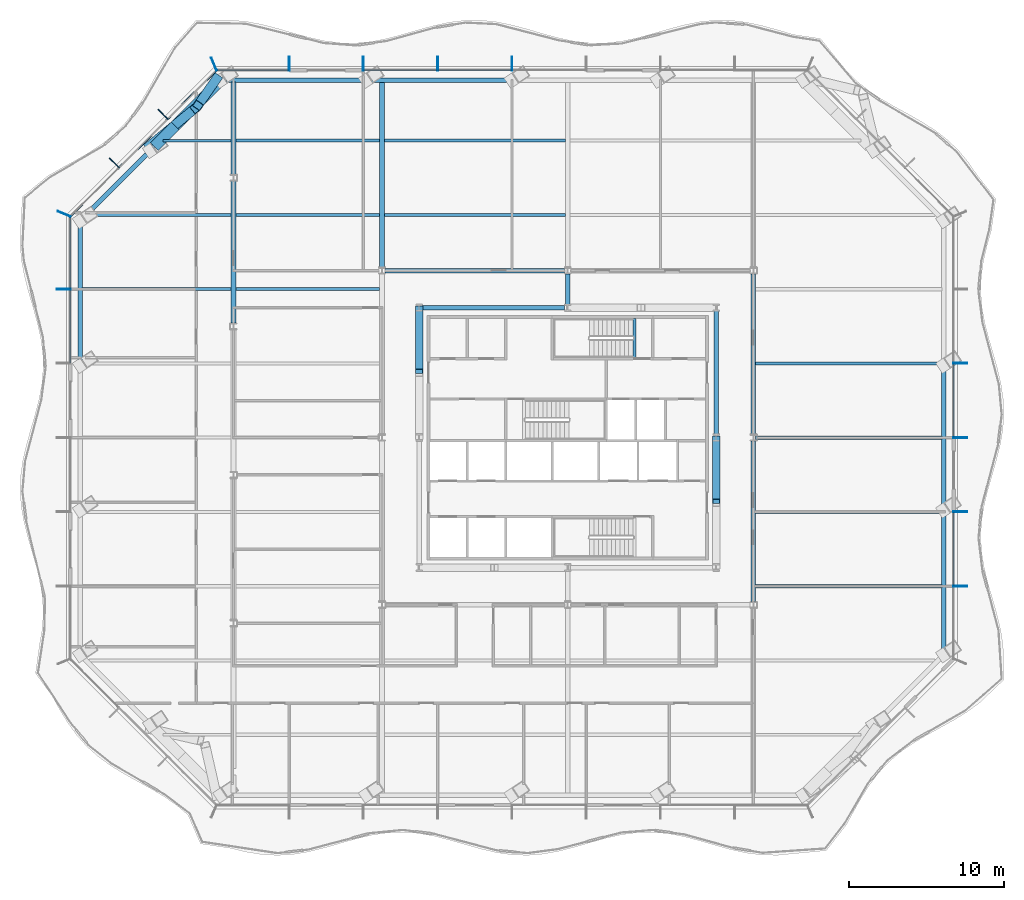
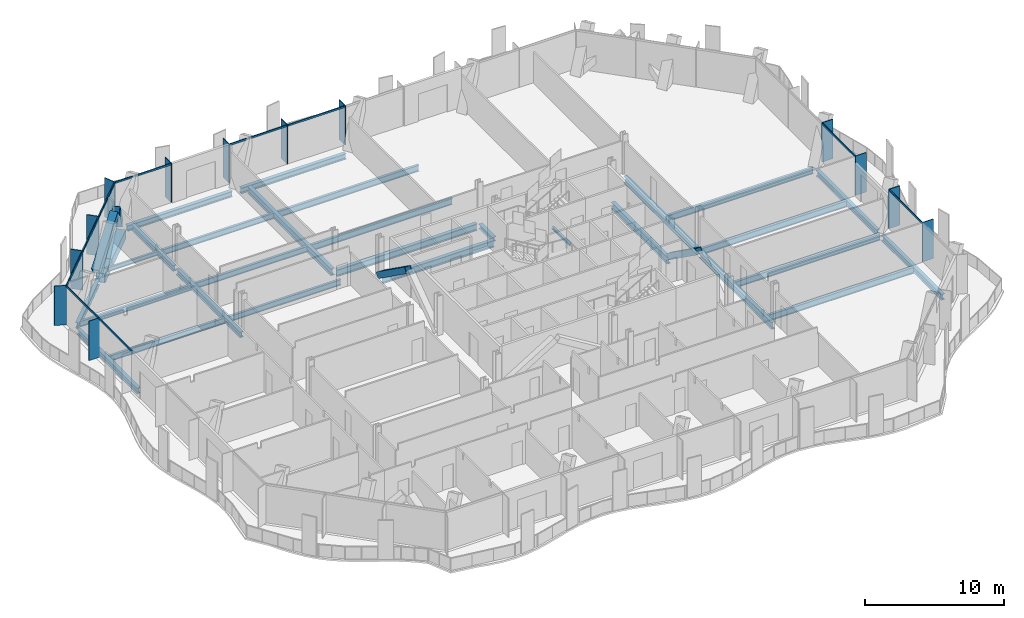
# One storey, part 3 of 20: 30 beams, 27 members, 4 elements without a shape of their own.
"""IFC4 building model written with IfcOpenShell, lengths in metres."""

import ifcopenshell
import ifcopenshell.guid

model = None  # the IFC model being written
_history = None  # IfcOwnerHistory: only IFC2X3 demands one
_inside = {}  # id of a spatial element -> (the spatial element, [elements in it])
_under = {}  # id of a project, library or spatial element -> (it, [spatial elements below it])
_declared = {}  # id of a project -> (the project, [libraries it declares])
_typed = {}  # id of a type object -> (the type object, [elements of that type])
_made_of = {}  # id of a material, layer set ... -> (it, [elements and type objects made of it])


def new_model(schema):
    """Start an empty IFC model of exactly this schema.

    Asked for "IFC4X3", IfcOpenShell would pick the latest addendum, in which some entities
    have other attributes; the version numbers below select the first issue.
    IFC2X3 requires an IfcOwnerHistory on every rooted entity: one is made here for all.
    """
    global model, _history
    if schema == "IFC4X3":
        model = ifcopenshell.file(schema_version=(4, 3, 0, 0))
    else:
        model = ifcopenshell.file(schema=schema)
    _inside.clear()
    _under.clear()
    _declared.clear()
    _typed.clear()
    _made_of.clear()
    _history = None
    if model.schema == "IFC2X3":
        org = make("IfcOrganization", Name="unknown")
        user = make(
            "IfcPersonAndOrganization",
            ThePerson=make("IfcPerson", FamilyName="unknown"),
            TheOrganization=org,
        )
        app = make(
            "IfcApplication",
            ApplicationDeveloper=org,
            Version="unknown",
            ApplicationFullName="unknown",
            ApplicationIdentifier="unknown",
        )
        _history = make(
            "IfcOwnerHistory",
            OwningUser=user,
            OwningApplication=app,
            ChangeAction="ADDED",
            CreationDate=0,
        )
    return model


def make(cls, **values):
    """One entity of the class cls with the attributes given. An attribute that is None is left unset."""
    return model.create_entity(
        cls, **{name: value for name, value in values.items() if value is not None}
    )


def rooted(cls, **values):
    """An entity with a GlobalId (a new one), such as an element, a storey or a relation."""
    return make(cls, GlobalId=ifcopenshell.guid.new(), OwnerHistory=_history, **values)


def si_unit(unit_type, name, prefix=None):
    """IfcSIUnit, for example si_unit("LENGTHUNIT", "METRE", prefix="MILLI")."""
    return make("IfcSIUnit", UnitType=unit_type, Prefix=prefix, Name=name)


def assignment(units):
    """IfcUnitAssignment: the units of a project."""
    return None if units is None else make("IfcUnitAssignment", Units=units)


def point(xyz):
    """IfcCartesianPoint."""
    return None if xyz is None else make("IfcCartesianPoint", Coordinates=xyz)


def direction(xyz):
    """IfcDirection."""
    return None if xyz is None else make("IfcDirection", DirectionRatios=xyz)


def frame(location, z_axis=None, x_axis=None):
    """IfcAxis2Placement3D, a coordinate frame: its origin and axes. An axis left out is left unset."""
    return make(
        "IfcAxis2Placement3D",
        Location=point(location),
        Axis=direction(z_axis),
        RefDirection=direction(x_axis),
    )


def frame_2d(location, x_axis=None):
    """IfcAxis2Placement2D, a coordinate frame in the plane: its origin and x axis."""
    return make(
        "IfcAxis2Placement2D", Location=point(location), RefDirection=direction(x_axis)
    )


def origin():
    """The frame at (0, 0, 0) with its axes left unset."""
    return frame((0.0, 0.0, 0.0))


def origin_2d():
    """The frame at (0, 0) in the plane with its x axis left unset."""
    return frame_2d((0.0, 0.0))


def place(relative_to, where):
    """IfcLocalPlacement: puts the frame where relative to a parent placement (None: the world)."""
    return make(
        "IfcLocalPlacement", PlacementRelTo=relative_to, RelativePlacement=where
    )


def context(
    kind, dimensions, precision=None, world=None, true_north=None, identifier=None
):
    """IfcGeometricRepresentationContext, for example the 3D "Model" context."""
    return make(
        "IfcGeometricRepresentationContext",
        ContextIdentifier=identifier,
        ContextType=kind,
        CoordinateSpaceDimension=dimensions,
        Precision=precision,
        WorldCoordinateSystem=world,
        TrueNorth=true_north,
    )


def subcontext(parent, identifier, kind, view, scale=None):
    """IfcGeometricRepresentationSubContext, for example "Body" below "Model"."""
    return make(
        "IfcGeometricRepresentationSubContext",
        ContextIdentifier=identifier,
        ContextType=kind,
        ParentContext=parent,
        TargetScale=scale,
        TargetView=view,
    )


def project(units=None, contexts=None):
    """IfcProject with its units and contexts."""
    return rooted(
        "IfcProject",
        Name="project",
        RepresentationContexts=contexts,
        UnitsInContext=assignment(units),
    )


def spatial(cls, under=None, at=None, **own):
    """A site, building, storey or space (cls), placed at a placement, below another one or the project."""
    s = rooted(cls, ObjectPlacement=at, **own)
    if under is not None:
        _under.setdefault(under.id(), (under, []))[1].append(s)
    return s


def profile(cls, at=None, kind="AREA", **sizes):
    """A parametric profile (cls). Its sizes go by their IFC names, for example OverallWidth=200.0."""
    return make(cls, ProfileType=kind, Position=at, **sizes)


def rectangle(**sizes):
    """IfcRectangleProfileDef."""
    return profile("IfcRectangleProfileDef", **sizes)


def hollow_rectangle(**sizes):
    """IfcRectangleHollowProfileDef."""
    return profile("IfcRectangleHollowProfileDef", **sizes)


def i_section(**sizes):
    """IfcIShapeProfileDef."""
    return profile("IfcIShapeProfileDef", **sizes)


def extrude(swept, where, along, depth):
    """IfcExtrudedAreaSolid: the profile swept, set in the frame where, extruded along a direction by depth."""
    return make(
        "IfcExtrudedAreaSolid",
        SweptArea=swept,
        Position=where,
        ExtrudedDirection=direction(along),
        Depth=depth,
    )


def shape(context_of_items, identifier, shape_type, items):
    """IfcShapeRepresentation: the items that make up one representation, for example the "Body"."""
    return make(
        "IfcShapeRepresentation",
        ContextOfItems=context_of_items,
        RepresentationIdentifier=identifier,
        RepresentationType=shape_type,
        Items=items,
    )


def material(Name=None, Category=None):
    """IfcMaterial."""
    return make("IfcMaterial", Name=Name, Category=Category)


def material_profile(
    of_material, cross_section, Name=None, Category=None, Priority=None
):
    """IfcMaterialProfile: a cross section and its material."""
    return make(
        "IfcMaterialProfile",
        Name=Name,
        Material=of_material,
        Profile=cross_section,
        Priority=Priority,
        Category=Category,
    )


def profile_set(profiles, Name=None, composite=None):
    """IfcMaterialProfileSet."""
    return make(
        "IfcMaterialProfileSet",
        Name=Name,
        MaterialProfiles=profiles,
        CompositeProfile=composite,
    )


def made_of(thing, what):
    """Note that an element or type object is made of a material, layer set ...; save() writes the relation."""
    if what is not None:
        _made_of.setdefault(what.id(), (what, []))[1].append(thing)
    return thing


def type_object(cls, material=None, **own):
    """A type object (cls), such as IfcWallType, which elements share."""
    return made_of(rooted(cls, **own), material)


def element(
    cls,
    number,
    at=None,
    inside=None,
    cuts=None,
    type_object=None,
    material=None,
    context=None,
    identifier="Body",
    shape_type=None,
    held_by="IfcProductDefinitionShape",
    body=None,
    shapes=None,
    **own,
):
    """One element of the class cls, such as IfcWall. Its Tag is "e" and its number.

    at: its placement. inside: the storey or other place that contains it. cuts: it is an
    opening in that element (IfcRelVoidsElement). A single representation is given by context,
    identifier, shape_type and body (its items); several are given by shapes. held_by: the class
    of the entity that holds the representations. save() writes the other relations.
    """
    e = rooted(cls, Tag="e%d" % number, ObjectPlacement=at, **own)
    if body is not None:
        shapes = [shape(context, identifier, shape_type, body)]
    if shapes is not None:
        e.Representation = make(held_by, Representations=shapes)
    if inside is not None:
        _inside.setdefault(inside.id(), (inside, []))[1].append(e)
    if cuts is not None:
        rooted(
            "IfcRelVoidsElement", RelatingBuildingElement=cuts, RelatedOpeningElement=e
        )
    if type_object is not None:
        _typed.setdefault(type_object.id(), (type_object, []))[1].append(e)
    return made_of(e, material)


def aggregate(whole, parts):
    """IfcRelAggregates: a whole, such as a stair, and the parts it consists of."""
    return rooted("IfcRelAggregates", RelatingObject=whole, RelatedObjects=parts)


def save(model, path):
    """Write the relations noted so far, then the file.

    IfcRelAggregates (storeys below a building ...), IfcRelContainedInSpatialStructure (elements
    in a storey), IfcRelDefinesByType, IfcRelAssociatesMaterial and IfcRelDeclares: one each for
    every whole, place, type object, material and project.
    """
    for whole, parts in _under.values():
        aggregate(whole, parts)
    for where, things in _inside.values():
        rooted(
            "IfcRelContainedInSpatialStructure",
            RelatedElements=things,
            RelatingStructure=where,
        )
    for kind, things in _typed.values():
        rooted("IfcRelDefinesByType", RelatedObjects=things, RelatingType=kind)
    for what, things in _made_of.values():
        rooted("IfcRelAssociatesMaterial", RelatedObjects=things, RelatingMaterial=what)
    for by, libraries in _declared.values():
        rooted("IfcRelDeclares", RelatingContext=by, RelatedDefinitions=libraries)
    model.write(path)


model = new_model("IFC4")

# Units and contexts
model_context = context("Model", 3, precision=1e-05, world=origin(), true_north=direction((0.0, 1.0)))
body_context = subcontext(model_context, "Body", "Model", "MODEL_VIEW")
ifc_project = project(units=[si_unit("LENGTHUNIT", "METRE"), si_unit("AREAUNIT", "SQUARE_METRE"), si_unit("VOLUMEUNIT", "CUBIC_METRE"), si_unit("PLANEANGLEUNIT", "RADIAN"), si_unit("MASSUNIT", "GRAM", prefix="KILO")], contexts=[model_context])

# Site, building, storey
site_placement = place(None, origin())
site = spatial("IfcSite", under=ifc_project, at=site_placement, CompositionType="ELEMENT")
building_placement = place(site_placement, origin())
building = spatial("IfcBuilding", under=site, at=building_placement, Name="Cairn Pilgrim Tower", CompositionType="ELEMENT")
storey_placement = place(building_placement, frame((0.0, 0.0, 101.39990234375)))
storey = spatial("IfcBuildingStorey", under=building, at=storey_placement, Name="L24", CompositionType="ELEMENT", Elevation=101.39990234375)

# Members
ifc_material_1 = material(Name="Structural steel S460M", Category="steel")
ifc_material_profile_1 = material_profile(ifc_material_1, hollow_rectangle(XDim=0.5, YDim=0.5, WallThickness=0.030029296875, at=origin_2d()), Name="BOX 500x500x30")
ifc_profile_set_1 = profile_set([ifc_material_profile_1], Name="Structural steel S460M")
member_type_1 = type_object("IfcMemberType", Name="BOX 500x500x30 BRACE", PredefinedType="BRACE", material=ifc_profile_set_1)
member_1_placement = place(storey_placement, frame((16.800048828125, 2.356201171875, 0.10009765625), z_axis=(0.0, -0.814182254599, 0.580609383576), x_axis=(1.0, 0.0, 0.0)))
element("IfcMember", 1, at=member_1_placement, inside=storey, type_object=member_type_1, Name="KB-2B", PredefinedType="BRACE", context=body_context, shape_type="SweptSolid", body=[
    extrude(hollow_rectangle(XDim=0.5, YDim=0.5, WallThickness=0.030029296875, at=origin_2d()), origin(), (0.0, 0.0, 1.0), 4.996337890625),
])
member_2_placement = place(storey_placement, frame((-2.39990234375, 10.75634765625, 0.10009765625), z_axis=(0.0, -0.814198726233, 0.580586284889), x_axis=(1.0, 0.0, 0.0)))
element("IfcMember", 2, at=member_2_placement, inside=storey, type_object=member_type_1, Name="KB-4A", PredefinedType="BRACE", context=body_context, shape_type="SweptSolid", body=[
    extrude(hollow_rectangle(XDim=0.5, YDim=0.5, WallThickness=0.030029296875, at=origin_2d()), origin(), (0.0, 0.0, 1.0), 4.99658203125),
])
ifc_material_profile_2 = material_profile(ifc_material_1, hollow_rectangle(XDim=0.60009765625, YDim=0.60009765625, WallThickness=0.034912109375, at=origin_2d()), Name="BOX 600x600x35")
ifc_profile_set_2 = profile_set([ifc_material_profile_2], Name="Structural steel S460M")
member_type_2 = type_object("IfcMemberType", Name="BOX 600x600x35 BRACE", PredefinedType="BRACE", material=ifc_profile_set_2)
member_3_placement = place(storey_placement, frame((-15.47119140625, 25.630859375, 0.150146484375), z_axis=(-0.361757337028, -0.518148038838, 0.775018863612), x_axis=(0.819934799955, -0.572456918748, 0.0)))
element("IfcMember", 3, at=member_3_placement, inside=storey, type_object=member_type_2, Name="XB-NW1-NW2-1", PredefinedType="BRACE", context=body_context, shape_type="SweptSolid", body=[
    extrude(hollow_rectangle(XDim=0.60009765625, YDim=0.60009765625, WallThickness=0.034912109375, at=origin_2d()), origin(), (0.0, 0.0, 1.0), 3.3798828125),
])
member_4_placement = place(storey_placement, frame((-19.894287109375, 21.20751953125, 0.150146484375), z_axis=(0.638230273906, 0.524585057685, 0.5634471002), x_axis=(-0.634973910559, 0.772533580441, 0.0)))
element("IfcMember", 4, at=member_4_placement, inside=storey, type_object=member_type_2, Name="XB-NW1-NW2-2", PredefinedType="BRACE", context=body_context, shape_type="SweptSolid", body=[
    extrude(hollow_rectangle(XDim=0.60009765625, YDim=0.60009765625, WallThickness=0.034912109375, at=origin_2d()), origin(), (0.0, 0.0, 1.0), 4.64892578125),
])

# Beams
ifc_material_2 = material(Name="Structural steel S355J2", Category="steel")
ifc_material_profile_3 = material_profile(ifc_material_2, hollow_rectangle(XDim=0.699951171875, YDim=0.800048828125, WallThickness=0.0400390625, at=origin_2d()), Name="BOX 700x800x40")
ifc_profile_set_3 = profile_set([ifc_material_profile_3], Name="Structural steel S355J2")
beam_type_1 = type_object("IfcBeamType", Name="BOX 700x800x40 RING GIRDER", PredefinedType="SPANDREL", material=ifc_profile_set_3)
beam_1_placement = place(storey_placement, frame((-15.481689453125, 25.245361328125, -0.5498046875), z_axis=(-0.707106781187, -0.707106781187, 0.0), x_axis=(0.707106781187, -0.707106781187, 0.0)))
element("IfcBeam", 5, at=beam_1_placement, inside=storey, type_object=beam_type_1, Name="RG1-NW1-NW2-1", PredefinedType="SPANDREL", context=body_context, shape_type="SweptSolid", body=[
    extrude(hollow_rectangle(XDim=0.699951171875, YDim=0.800048828125, WallThickness=0.0400390625, at=origin_2d()), origin(), (0.0, 0.0, 1.0), 3.81005859375),
])
beam_2_placement = place(storey_placement, frame((-18.17578125, 22.55126953125, -0.5498046875), z_axis=(-0.707171525661, -0.707042030783, 0.0), x_axis=(0.707042030783, -0.707171525661, 0.0)))
element("IfcBeam", 6, at=beam_2_placement, inside=storey, type_object=beam_type_1, Name="RG1-NW1-NW2-2", PredefinedType="SPANDREL", context=body_context, shape_type="SweptSolid", body=[
    extrude(hollow_rectangle(XDim=0.699951171875, YDim=0.800048828125, WallThickness=0.0400390625, at=origin_2d()), origin(), (0.0, 0.0, 1.0), 1.88525390625),
])

# Curtain wall, members
ifc_material_3 = material(Name="Aluminium alloy 6063-T6 bronze anodised with Bronze tinted laminated low-E glass 8+16+8.8", Category="aluminium")
curtain_wall_type_1 = type_object("IfcCurtainWallType", Name="TOWER STICK CURTAIN WALL EW", PredefinedType="NOTDEFINED", material=ifc_material_3)
curtain_wall_1_placement = place(storey_placement, origin())
curtain_wall_1 = element("IfcCurtainWall", 7, at=curtain_wall_1_placement, inside=storey, type_object=curtain_wall_type_1, Name="Tower Stick Curtain Wall Ew E", PredefinedType="NOTDEFINED")
ifc_material_4 = material(Name="Aluminium alloy 6063-T6 bronze anodised", Category="aluminium")
ifc_material_profile_4 = material_profile(ifc_material_4, rectangle(XDim=0.89990234375, YDim=0.06005859375, at=origin_2d()), Name="FIN MULLION 60x900 BRONZE")
ifc_profile_set_4 = profile_set([ifc_material_profile_4], Name="Aluminium alloy 6063-T6 bronze anodised")
member_type_3 = type_object("IfcMemberType", Name="FIN MULLION 60x900 BRONZE", PredefinedType="MULLION", material=ifc_profile_set_4)
member_5_placement = place(storey_placement, frame((32.570068359375, -7.199951171875, 0.0), z_axis=(0.0, 0.0, 1.0), x_axis=(1.0, 0.0, 0.0)))
member_5 = element("IfcMember", 8, at=member_5_placement, type_object=member_type_3, Name="Fin mullion E2", PredefinedType="MULLION", context=body_context, shape_type="SweptSolid", body=[
    extrude(rectangle(XDim=0.89990234375, YDim=0.06005859375, at=origin_2d()), origin(), (0.0, 0.0, 1.0), 3.4501953125),
])
member_6_placement = place(storey_placement, frame((32.570068359375, -2.39990234375, 0.0), z_axis=(0.0, 0.0, 1.0), x_axis=(1.0, 0.0, 0.0)))
member_6 = element("IfcMember", 9, at=member_6_placement, type_object=member_type_3, Name="Fin mullion E3", PredefinedType="MULLION", context=body_context, shape_type="SweptSolid", body=[
    extrude(rectangle(XDim=0.89990234375, YDim=0.06005859375, at=origin_2d()), origin(), (0.0, 0.0, 1.0), 3.4501953125),
])
member_7_placement = place(storey_placement, frame((32.570068359375, 2.39990234375, 0.0), z_axis=(0.0, 0.0, 1.0), x_axis=(1.0, 0.0, 0.0)))
member_7 = element("IfcMember", 10, at=member_7_placement, type_object=member_type_3, Name="Fin mullion E4", PredefinedType="MULLION", context=body_context, shape_type="SweptSolid", body=[
    extrude(rectangle(XDim=0.89990234375, YDim=0.06005859375, at=origin_2d()), origin(), (0.0, 0.0, 1.0), 3.4501953125),
])
member_8_placement = place(storey_placement, frame((32.570068359375, 7.199951171875, 0.0), z_axis=(0.0, 0.0, 1.0), x_axis=(1.0, 0.0, 0.0)))
member_8 = element("IfcMember", 11, at=member_8_placement, type_object=member_type_3, Name="Fin mullion E5", PredefinedType="MULLION", context=body_context, shape_type="SweptSolid", body=[
    extrude(rectangle(XDim=0.89990234375, YDim=0.06005859375, at=origin_2d()), origin(), (0.0, 0.0, 1.0), 3.4501953125),
])

curtain_wall_type_2 = type_object("IfcCurtainWallType", Name="TOWER STICK CURTAIN WALL NS", PredefinedType="NOTDEFINED", material=ifc_material_3)
curtain_wall_2_placement = place(storey_placement, origin())
curtain_wall_2 = element("IfcCurtainWall", 12, at=curtain_wall_2_placement, inside=storey, type_object=curtain_wall_type_2, Name="Tower Stick Curtain Wall Ns N", PredefinedType="NOTDEFINED")
member_9_placement = place(storey_placement, frame((3.60009765625, 26.570068359375, 0.0), z_axis=(0.0, 0.0, 1.0), x_axis=(0.0, 1.0, 0.0)))
member_9 = element("IfcMember", 13, at=member_9_placement, type_object=member_type_3, Name="Fin mullion N5", PredefinedType="MULLION", context=body_context, shape_type="SweptSolid", body=[
    extrude(rectangle(XDim=0.89990234375, YDim=0.06005859375, at=origin_2d()), origin(), (0.0, 0.0, 1.0), 3.4501953125),
])
member_10_placement = place(storey_placement, frame((-1.199951171875, 26.570068359375, 0.0), z_axis=(0.0, 0.0, 1.0), x_axis=(0.0, 1.0, 0.0)))
member_10 = element("IfcMember", 14, at=member_10_placement, type_object=member_type_3, Name="Fin mullion N6", PredefinedType="MULLION", context=body_context, shape_type="SweptSolid", body=[
    extrude(rectangle(XDim=0.89990234375, YDim=0.06005859375, at=origin_2d()), origin(), (0.0, 0.0, 1.0), 3.4501953125),
])
member_11_placement = place(storey_placement, frame((-6.0, 26.570068359375, 0.0), z_axis=(0.0, 0.0, 1.0), x_axis=(0.0, 1.0, 0.0)))
member_11 = element("IfcMember", 15, at=member_11_placement, type_object=member_type_3, Name="Fin mullion N7", PredefinedType="MULLION", context=body_context, shape_type="SweptSolid", body=[
    extrude(rectangle(XDim=0.89990234375, YDim=0.06005859375, at=origin_2d()), origin(), (0.0, 0.0, 1.0), 3.4501953125),
])
member_12_placement = place(storey_placement, frame((-10.800048828125, 26.570068359375, 0.0), z_axis=(0.0, 0.0, 1.0), x_axis=(0.0, 1.0, 0.0)))
member_12 = element("IfcMember", 16, at=member_12_placement, type_object=member_type_3, Name="Fin mullion N8", PredefinedType="MULLION", context=body_context, shape_type="SweptSolid", body=[
    extrude(rectangle(XDim=0.89990234375, YDim=0.06005859375, at=origin_2d()), origin(), (0.0, 0.0, 1.0), 3.4501953125),
])

curtain_wall_type_3 = type_object("IfcCurtainWallType", Name="CHAMFER CORNER CURTAIN WALL", PredefinedType="NOTDEFINED", material=ifc_material_3)
curtain_wall_3_placement = place(storey_placement, origin())
curtain_wall_3 = element("IfcCurtainWall", 17, at=curtain_wall_3_placement, inside=storey, type_object=curtain_wall_type_3, Name="Chamfer Corner Curtain Wall NW", PredefinedType="NOTDEFINED")
member_13_placement = place(storey_placement, frame((-15.6572265625, 26.5380859375, 0.0), z_axis=(0.0, 0.0, 1.0), x_axis=(-0.382683432365, 0.923879532511, 0.0)))
member_13 = element("IfcMember", 18, at=member_13_placement, type_object=member_type_3, Name="Fin mullion NW1", PredefinedType="MULLION", context=body_context, shape_type="SweptSolid", body=[
    extrude(rectangle(XDim=0.89990234375, YDim=0.06005859375, at=origin_2d()), origin(), (0.0, 0.0, 1.0), 3.4501953125),
])
member_14_placement = place(storey_placement, frame((-18.944580078125, 23.2958984375, 0.0), z_axis=(0.0, 0.0, 1.0), x_axis=(-0.707106781187, 0.707106781187, 0.0)))
member_14 = element("IfcMember", 19, at=member_14_placement, type_object=member_type_3, Name="Fin mullion NW2", PredefinedType="MULLION", context=body_context, shape_type="SweptSolid", body=[
    extrude(rectangle(XDim=0.89990234375, YDim=0.06005859375, at=origin_2d()), origin(), (0.0, 0.0, 1.0), 3.4501953125),
])
member_15_placement = place(storey_placement, frame((-22.095703125, 20.14453125, 0.0), z_axis=(0.0, 0.0, 1.0), x_axis=(-0.707106781187, 0.707106781187, 0.0)))
member_15 = element("IfcMember", 20, at=member_15_placement, type_object=member_type_3, Name="Fin mullion NW3", PredefinedType="MULLION", context=body_context, shape_type="SweptSolid", body=[
    extrude(rectangle(XDim=0.89990234375, YDim=0.06005859375, at=origin_2d()), origin(), (0.0, 0.0, 1.0), 3.4501953125),
])

curtain_wall_4_placement = place(storey_placement, origin())
curtain_wall_4 = element("IfcCurtainWall", 21, at=curtain_wall_4_placement, inside=storey, type_object=curtain_wall_type_1, Name="Tower Stick Curtain Wall Ew W", PredefinedType="NOTDEFINED")
member_16_placement = place(storey_placement, frame((-25.338134765625, 16.857177734375, 0.0), z_axis=(0.0, 0.0, 1.0), x_axis=(-0.923879532511, 0.382683432365, 0.0)))
member_16 = element("IfcMember", 22, at=member_16_placement, type_object=member_type_3, Name="Fin mullion W1", PredefinedType="MULLION", context=body_context, shape_type="SweptSolid", body=[
    extrude(rectangle(XDim=0.89990234375, YDim=0.06005859375, at=origin_2d()), origin(), (0.0, 0.0, 1.0), 3.4501953125),
])
member_17_placement = place(storey_placement, frame((-25.3701171875, 12.0, 0.0), z_axis=(0.0, 0.0, 1.0), x_axis=(-1.0, 0.0, 0.0)))
member_17 = element("IfcMember", 23, at=member_17_placement, type_object=member_type_3, Name="Fin mullion W2", PredefinedType="MULLION", context=body_context, shape_type="SweptSolid", body=[
    extrude(rectangle(XDim=0.89990234375, YDim=0.06005859375, at=origin_2d()), origin(), (0.0, 0.0, 1.0), 3.4501953125),
])

# Beams
ifc_material_profile_5 = material_profile(ifc_material_2, i_section(OverallWidth=0.300048828125, OverallDepth=0.39990234375, WebThickness=0.013427734375, FlangeThickness=0.02392578125, FilletRadius=0.027099609375, at=origin_2d()), Name="HEB 400")
ifc_profile_set_5 = profile_set([ifc_material_profile_5], Name="Structural steel S355J2")
beam_type_2 = type_object("IfcBeamType", Name="HEB 400 GIRDER", PredefinedType="BEAM", material=ifc_profile_set_5)
beam_3_placement = place(storey_placement, frame((7.199951171875, 11.0185546875, -0.349853515625), z_axis=(0.0, 1.0, 0.0), x_axis=(-1.0, 0.0, 0.0)))
element("IfcBeam", 24, at=beam_3_placement, inside=storey, type_object=beam_type_2, Name="PG3-E2", PredefinedType="BEAM", context=body_context, shape_type="SweptSolid", body=[
    extrude(i_section(OverallWidth=0.300048828125, OverallDepth=0.39990234375, WebThickness=0.013427734375, FlangeThickness=0.02392578125, FilletRadius=0.027099609375, at=origin_2d()), origin(), (0.0, 0.0, 1.0), 1.97705078125),
])
ifc_material_profile_6 = material_profile(ifc_material_2, i_section(OverallWidth=0.300048828125, OverallDepth=0.5, WebThickness=0.014404296875, FlangeThickness=0.028076171875, FilletRadius=0.027099609375, at=origin_2d()), Name="HEB 500")
ifc_profile_set_6 = profile_set([ifc_material_profile_6], Name="Structural steel S355J2")
beam_type_3 = type_object("IfcBeamType", Name="HEB 500 GIRDER", PredefinedType="BEAM", material=ifc_profile_set_6)
beam_4_placement = place(storey_placement, frame((-14.39990234375, 9.804443359375, -0.39990234375), z_axis=(0.0, 1.0, 0.0), x_axis=(-1.0, 0.0, 0.0)))
element("IfcBeam", 25, at=beam_4_placement, inside=storey, type_object=beam_type_3, Name="PG1-4", PredefinedType="BEAM", context=body_context, shape_type="SweptSolid", body=[
    extrude(i_section(OverallWidth=0.300048828125, OverallDepth=0.5, WebThickness=0.014404296875, FlangeThickness=0.028076171875, FilletRadius=0.027099609375, at=origin_2d()), origin(), (0.0, 0.0, 1.0), 9.191162109375),
])
beam_5_placement = place(storey_placement, frame((-14.39990234375, 19.404541015625, -0.39990234375), z_axis=(0.0, 1.0, 0.0), x_axis=(-1.0, 0.0, 0.0)))
element("IfcBeam", 26, at=beam_5_placement, inside=storey, type_object=beam_type_3, Name="PG1-5", PredefinedType="BEAM", context=body_context, shape_type="SweptSolid", body=[
    extrude(i_section(OverallWidth=0.300048828125, OverallDepth=0.5, WebThickness=0.014404296875, FlangeThickness=0.028076171875, FilletRadius=0.027099609375, at=origin_2d()), origin(), (0.0, 0.0, 1.0), 5.975341796875),
])
ifc_material_profile_7 = material_profile(ifc_material_2, i_section(OverallWidth=0.300048828125, OverallDepth=0.5, WebThickness=0.014404296875, FlangeThickness=0.028076171875, FilletRadius=0.027099609375, at=origin_2d()), Name="HEB 500")
ifc_profile_set_7 = profile_set([ifc_material_profile_7], Name="Structural steel S355J2")
beam_type_4 = type_object("IfcBeamType", Name="HEB 500 RING GIRDER", PredefinedType="SPANDREL", material=ifc_profile_set_7)
beam_6_placement = place(storey_placement, frame((31.5, -11.26708984375, -0.39990234375), z_axis=(0.0, 1.0, 0.0), x_axis=(-1.0, 0.0, 0.0)))
element("IfcBeam", 27, at=beam_6_placement, inside=storey, type_object=beam_type_4, Name="RG1-E1-E2", PredefinedType="SPANDREL", context=body_context, shape_type="SweptSolid", body=[
    extrude(i_section(OverallWidth=0.300048828125, OverallDepth=0.5, WebThickness=0.014404296875, FlangeThickness=0.028076171875, FilletRadius=0.027099609375, at=origin_2d()), origin(), (0.0, 0.0, 1.0), 8.63134765625),
])
beam_7_placement = place(storey_placement, frame((31.5, -1.915771484375, -0.39990234375), z_axis=(0.0, 1.0, 0.0), x_axis=(-1.0, 0.0, 0.0)))
element("IfcBeam", 28, at=beam_7_placement, inside=storey, type_object=beam_type_4, Name="RG1-E2-E3", PredefinedType="SPANDREL", context=body_context, shape_type="SweptSolid", body=[
    extrude(i_section(OverallWidth=0.300048828125, OverallDepth=0.5, WebThickness=0.014404296875, FlangeThickness=0.028076171875, FilletRadius=0.027099609375, at=origin_2d()), origin(), (0.0, 0.0, 1.0), 8.631591796875),
])
for number, where, z_axis, x_axis, name in (
    (29, (3.239990234375, 25.5, -0.39990234375), (-1.0, 0.0, 0.0), (0.0, -1.0, 0.0), "RG1-N3-N4"),
    (30, (-6.173583984375, 25.5, -0.39990234375), (-1.0, 0.0, 0.0), (0.0, -1.0, 0.0), "RG1-N4-NW1"),
):
    element("IfcBeam", number, at=place(storey_placement, frame(where, z_axis=z_axis, x_axis=x_axis)), inside=storey, type_object=beam_type_4, Name=name, PredefinedType="SPANDREL", context=body_context, shape_type="SweptSolid", body=[
        extrude(i_section(OverallWidth=0.300048828125, OverallDepth=0.5, WebThickness=0.014404296875, FlangeThickness=0.028076171875, FilletRadius=0.027099609375, at=origin_2d()), origin(), (0.0, 0.0, 1.0), 8.693603515625),
    ])
beam_8_placement = place(storey_placement, frame((-20.018310546875, 20.708984375, -0.39990234375), z_axis=(-0.707106781187, -0.707106781187, 0.0), x_axis=(0.707106781187, -0.707106781187, 0.0)))
element("IfcBeam", 31, at=beam_8_placement, inside=storey, type_object=beam_type_4, Name="RG1-NW2-W1", PredefinedType="SPANDREL", context=body_context, shape_type="SweptSolid", body=[
    extrude(i_section(OverallWidth=0.300048828125, OverallDepth=0.5, WebThickness=0.014404296875, FlangeThickness=0.028076171875, FilletRadius=0.027099609375, at=origin_2d()), origin(), (0.0, 0.0, 1.0), 5.695068359375),
])
beam_9_placement = place(storey_placement, frame((-24.300048828125, 16.067138671875, -0.39990234375), z_axis=(0.0, -1.0, 0.0), x_axis=(1.0, 0.0, 0.0)))
element("IfcBeam", 32, at=beam_9_placement, inside=storey, type_object=beam_type_4, Name="RG1-W1-W2", PredefinedType="SPANDREL", context=body_context, shape_type="SweptSolid", body=[
    extrude(i_section(OverallWidth=0.300048828125, OverallDepth=0.5, WebThickness=0.014404296875, FlangeThickness=0.028076171875, FilletRadius=0.027099609375, at=origin_2d()), origin(), (0.0, 0.0, 1.0), 8.63134765625),
])
ifc_material_profile_8 = material_profile(ifc_material_2, i_section(OverallWidth=0.300048828125, OverallDepth=0.60009765625, WebThickness=0.015380859375, FlangeThickness=0.030029296875, FilletRadius=0.027099609375, at=origin_2d()), Name="HEB 600")
ifc_profile_set_8 = profile_set([ifc_material_profile_8], Name="Structural steel S355J2")
beam_type_5 = type_object("IfcBeamType", Name="HEB 600 CORE BEAM", PredefinedType="BEAM", material=ifc_profile_set_8)
beam_10_placement = place(storey_placement, frame((16.800048828125, 2.5966796875, -0.449951171875), z_axis=(0.0, 1.0, 0.0), x_axis=(-1.0, 0.0, 0.0)))
element("IfcBeam", 33, at=beam_10_placement, inside=storey, type_object=beam_type_5, Name="CB-4", PredefinedType="BEAM", context=body_context, shape_type="SweptSolid", body=[
    extrude(i_section(OverallWidth=0.300048828125, OverallDepth=0.60009765625, WebThickness=0.015380859375, FlangeThickness=0.030029296875, FilletRadius=0.027099609375, at=origin_2d()), origin(), (0.0, 0.0, 1.0), 8.0068359375),
])
beam_11_placement = place(storey_placement, frame((7.00341796875, 10.800048828125, -0.449951171875), z_axis=(-1.0, 0.0, 0.0), x_axis=(0.0, -1.0, 0.0)))
element("IfcBeam", 34, at=beam_11_placement, inside=storey, type_object=beam_type_5, Name="CB-6", PredefinedType="BEAM", context=body_context, shape_type="SweptSolid", body=[
    extrude(i_section(OverallWidth=0.300048828125, OverallDepth=0.60009765625, WebThickness=0.015380859375, FlangeThickness=0.030029296875, FilletRadius=0.027099609375, at=origin_2d()), origin(), (0.0, 0.0, 1.0), 9.206787109375),
])
ifc_material_profile_9 = material_profile(ifc_material_2, i_section(OverallWidth=0.300048828125, OverallDepth=0.60009765625, WebThickness=0.015380859375, FlangeThickness=0.030029296875, FilletRadius=0.027099609375, at=origin_2d()), Name="HEB 600")
ifc_profile_set_9 = profile_set([ifc_material_profile_9], Name="Structural steel S355J2")
beam_type_6 = type_object("IfcBeamType", Name="HEB 600 GIRDER", PredefinedType="BEAM", material=ifc_profile_set_9)
beam_12_placement = place(storey_placement, frame((-4.800048828125, 13.404541015625, -0.449951171875), z_axis=(0.0, 1.0, 0.0), x_axis=(-1.0, 0.0, 0.0)))
element("IfcBeam", 35, at=beam_12_placement, inside=storey, type_object=beam_type_6, Name="PG2-4", PredefinedType="BEAM", context=body_context, shape_type="SweptSolid", body=[
    extrude(i_section(OverallWidth=0.300048828125, OverallDepth=0.60009765625, WebThickness=0.015380859375, FlangeThickness=0.030029296875, FilletRadius=0.027099609375, at=origin_2d()), origin(), (0.0, 0.0, 1.0), 11.975341796875),
])
for number, where, z_axis, x_axis, name in (
    (36, (19.199951171875, -8.195556640625, -0.449951171875), (0.0, 1.0, 0.0), (-1.0, 0.0, 0.0), "PG4-2"),
    (37, (19.199951171875, 2.6044921875, -0.449951171875), (0.0, 1.0, 0.0), (-1.0, 0.0, 0.0), "PG4-3"),
):
    element("IfcBeam", number, at=place(storey_placement, frame(where, z_axis=z_axis, x_axis=x_axis)), inside=storey, type_object=beam_type_6, Name=name, PredefinedType="BEAM", context=body_context, shape_type="SweptSolid", body=[
        extrude(i_section(OverallWidth=0.300048828125, OverallDepth=0.60009765625, WebThickness=0.015380859375, FlangeThickness=0.030029296875, FilletRadius=0.027099609375, at=origin_2d()), origin(), (0.0, 0.0, 1.0), 10.39111328125),
    ])
ifc_material_profile_10 = material_profile(ifc_material_2, i_section(OverallWidth=0.300048828125, OverallDepth=0.60009765625, WebThickness=0.015380859375, FlangeThickness=0.030029296875, FilletRadius=0.027099609375, at=origin_2d()), Name="HEB 600")
ifc_profile_set_10 = profile_set([ifc_material_profile_10], Name="Structural steel S355J2")
beam_type_7 = type_object("IfcBeamType", Name="HEB 600 INNER GIRDER", PredefinedType="BEAM", material=ifc_profile_set_10)
beam_13_placement = place(storey_placement, frame((-4.595458984375, 13.199951171875, -0.449951171875), z_axis=(1.0, 0.0, 0.0), x_axis=(0.0, 1.0, 0.0)))
element("IfcBeam", 38, at=beam_13_placement, inside=storey, type_object=beam_type_7, Name="IG2-1", PredefinedType="BEAM", context=body_context, shape_type="SweptSolid", body=[
    extrude(i_section(OverallWidth=0.300048828125, OverallDepth=0.60009765625, WebThickness=0.015380859375, FlangeThickness=0.030029296875, FilletRadius=0.027099609375, at=origin_2d()), origin(), (0.0, 0.0, 1.0), 11.591064453125),
])
ifc_material_profile_11 = material_profile(ifc_material_2, i_section(OverallWidth=0.169921875, OverallDepth=0.360107421875, WebThickness=0.008056640625, FlangeThickness=0.0126953125, FilletRadius=0.01806640625, at=origin_2d()), Name="IPE 360")
ifc_profile_set_11 = profile_set([ifc_material_profile_11], Name="Structural steel S355J2")
beam_type_8 = type_object("IfcBeamType", Name="IPE 360 SECONDARY BEAM", PredefinedType="JOIST", material=ifc_profile_set_11)
beam_14_placement = place(storey_placement, frame((-18.945068359375, 21.60009765625, -0.329833984375), z_axis=(1.0, 0.0, 0.0), x_axis=(0.0, 1.0, 0.0)))
element("IfcBeam", 39, at=beam_14_placement, inside=storey, type_object=beam_type_8, Name="SB9-1", PredefinedType="JOIST", context=body_context, shape_type="SweptSolid", body=[
    extrude(i_section(OverallWidth=0.169921875, OverallDepth=0.360107421875, WebThickness=0.008056640625, FlangeThickness=0.0126953125, FilletRadius=0.01806640625, at=origin_2d()), origin(), (0.0, 0.0, 1.0), 4.39501953125),
])
ifc_material_profile_12 = material_profile(ifc_material_2, i_section(OverallWidth=0.199951171875, OverallDepth=0.5, WebThickness=0.01025390625, FlangeThickness=0.01611328125, FilletRadius=0.02099609375, at=origin_2d()), Name="IPE 500")
ifc_profile_set_12 = profile_set([ifc_material_profile_12], Name="Structural steel S355J2")
beam_type_9 = type_object("IfcBeamType", Name="IPE 500 SECONDARY BEAM", PredefinedType="JOIST", material=ifc_profile_set_12)
beam_15_placement = place(storey_placement, frame((-24.179931640625, 12.0, -0.39990234375), z_axis=(1.0, 0.0, 0.0), x_axis=(0.0, 1.0, 0.0)))
element("IfcBeam", 40, at=beam_15_placement, inside=storey, type_object=beam_type_9, Name="SB7-1", PredefinedType="JOIST", context=body_context, shape_type="SweptSolid", body=[
    extrude(i_section(OverallWidth=0.199951171875, OverallDepth=0.5, WebThickness=0.01025390625, FlangeThickness=0.01611328125, FilletRadius=0.02099609375, at=origin_2d()), origin(), (0.0, 0.0, 1.0), 9.6298828125),
])
beam_16_placement = place(storey_placement, frame((-14.25, 12.0, -0.39990234375), z_axis=(1.0, 0.0, 0.0), x_axis=(0.0, 1.0, 0.0)))
element("IfcBeam", 41, at=beam_16_placement, inside=storey, type_object=beam_type_9, Name="SB7-2", PredefinedType="JOIST", context=body_context, shape_type="SweptSolid", body=[
    extrude(i_section(OverallWidth=0.199951171875, OverallDepth=0.5, WebThickness=0.01025390625, FlangeThickness=0.01611328125, FilletRadius=0.02099609375, at=origin_2d()), origin(), (0.0, 0.0, 1.0), 9.300048828125),
])
beam_17_placement = place(storey_placement, frame((-23.7451171875, 16.800048828125, -0.39990234375), z_axis=(1.0, 0.0, 0.0), x_axis=(0.0, 1.0, 0.0)))
element("IfcBeam", 42, at=beam_17_placement, inside=storey, type_object=beam_type_9, Name="SB8-1", PredefinedType="JOIST", context=body_context, shape_type="SweptSolid", body=[
    extrude(i_section(OverallWidth=0.199951171875, OverallDepth=0.5, WebThickness=0.01025390625, FlangeThickness=0.01611328125, FilletRadius=0.02099609375, at=origin_2d()), origin(), (0.0, 0.0, 1.0), 9.195068359375),
])
for number, where, z_axis, x_axis, name in (
    (43, (-14.25, 16.800048828125, -0.39990234375), (1.0, 0.0, 0.0), (0.0, 1.0, 0.0), "SB8-2"),
    (44, (-14.25, 21.60009765625, -0.39990234375), (1.0, 0.0, 0.0), (0.0, 1.0, 0.0), "SB9-2"),
):
    element("IfcBeam", number, at=place(storey_placement, frame(where, z_axis=z_axis, x_axis=x_axis)), inside=storey, type_object=beam_type_9, Name=name, PredefinedType="JOIST", context=body_context, shape_type="SweptSolid", body=[
        extrude(i_section(OverallWidth=0.199951171875, OverallDepth=0.5, WebThickness=0.01025390625, FlangeThickness=0.01611328125, FilletRadius=0.02099609375, at=origin_2d()), origin(), (0.0, 0.0, 1.0), 9.300048828125),
    ])
ifc_material_profile_13 = material_profile(ifc_material_2, i_section(OverallWidth=0.2099609375, OverallDepth=0.550048828125, WebThickness=0.010986328125, FlangeThickness=0.01708984375, FilletRadius=0.02392578125, at=origin_2d()), Name="IPE 550")
ifc_profile_set_13 = profile_set([ifc_material_profile_13], Name="Structural steel S355J2")
beam_type_10 = type_object("IfcBeamType", Name="IPE 550 SECONDARY BEAM", PredefinedType="JOIST", material=ifc_profile_set_13)
for number, where, z_axis, x_axis, name in (
    (45, (19.35009765625, -7.199951171875, -0.4248046875), (1.0, 0.0, 0.0), (0.0, 1.0, 0.0), "SB3-3"),
    (46, (19.35009765625, -2.39990234375, -0.4248046875), (1.0, 0.0, 0.0), (0.0, 1.0, 0.0), "SB4-3"),
    (47, (19.35009765625, 2.39990234375, -0.4248046875), (1.0, 0.0, 0.0), (0.0, 1.0, 0.0), "SB5-3"),
    (48, (19.35009765625, 7.199951171875, -0.4248046875), (1.0, 0.0, 0.0), (0.0, 1.0, 0.0), "SB6-3"),
):
    element("IfcBeam", number, at=place(storey_placement, frame(where, z_axis=z_axis, x_axis=x_axis)), inside=storey, type_object=beam_type_10, Name=name, PredefinedType="JOIST", context=body_context, shape_type="SweptSolid", body=[
        extrude(i_section(OverallWidth=0.2099609375, OverallDepth=0.550048828125, WebThickness=0.010986328125, FlangeThickness=0.01708984375, FilletRadius=0.02392578125, at=origin_2d()), origin(), (0.0, 0.0, 1.0), 12.02978515625),
    ])
for number, where, z_axis, x_axis, name in (
    (49, (-4.64990234375, 16.800048828125, -0.4248046875), (1.0, 0.0, 0.0), (0.0, 1.0, 0.0), "SB8-3"),
    (50, (-4.64990234375, 21.60009765625, -0.4248046875), (1.0, 0.0, 0.0), (0.0, 1.0, 0.0), "SB9-3"),
):
    element("IfcBeam", number, at=place(storey_placement, frame(where, z_axis=z_axis, x_axis=x_axis)), inside=storey, type_object=beam_type_10, Name=name, PredefinedType="JOIST", context=body_context, shape_type="SweptSolid", body=[
        extrude(i_section(OverallWidth=0.2099609375, OverallDepth=0.550048828125, WebThickness=0.010986328125, FlangeThickness=0.01708984375, FilletRadius=0.02392578125, at=origin_2d()), origin(), (0.0, 0.0, 1.0), 11.699951171875),
    ])
ifc_material_profile_14 = material_profile(ifc_material_2, i_section(OverallWidth=0.199951171875, OverallDepth=0.199951171875, WebThickness=0.009033203125, FlangeThickness=0.014892578125, FilletRadius=0.01806640625, at=origin_2d()), Name="HE 200 B")
ifc_profile_set_14 = profile_set([ifc_material_profile_14], Name="Structural steel S355J2")
beam_type_11 = type_object("IfcBeamType", Name="STAIR LANDING BEAM HE 200 B", PredefinedType="BEAM", material=ifc_profile_set_14)
beam_18_placement = place(storey_placement, frame((11.5244140625, 10.10009765625, -0.25), z_axis=(0.0, -1.0, 0.0), x_axis=(1.0, 0.0, 0.0)))
element("IfcBeam", 51, at=beam_18_placement, inside=storey, type_object=beam_type_11, Name="STAIR LANDING BEAM LD-HE200B", PredefinedType="BEAM", context=body_context, shape_type="SweptSolid", body=[
    extrude(i_section(OverallWidth=0.199951171875, OverallDepth=0.199951171875, WebThickness=0.009033203125, FlangeThickness=0.014892578125, FilletRadius=0.01806640625, at=origin_2d()), origin(), (0.0, 0.0, 1.0), 2.525146484375),
])

# Member
ifc_material_profile_15 = material_profile(ifc_material_4, rectangle(XDim=0.080078125, YDim=0.14990234375, at=origin_2d()), Name="TRANSOM 80x150 BRONZE")
ifc_profile_set_15 = profile_set([ifc_material_profile_15], Name="Aluminium alloy 6063-T6 bronze anodised")
member_type_4 = type_object("IfcMemberType", Name="TRANSOM 80x150 BRONZE", PredefinedType="USERDEFINED", material=ifc_profile_set_15)
member_18_placement = place(storey_placement, frame((32.14990234375, -7.169921875, 3.375), z_axis=(0.0, 1.0, 0.0), x_axis=(-1.0, 0.0, 0.0)))
member_18 = element("IfcMember", 52, at=member_18_placement, type_object=member_type_4, Name="Transom E2", ObjectType="TRANSOM", PredefinedType="USERDEFINED", context=body_context, shape_type="SweptSolid", body=[
    extrude(rectangle(XDim=0.080078125, YDim=0.14990234375, at=origin_2d()), origin(), (0.0, 0.0, 1.0), 4.739990234375),
])

member_19_placement = place(storey_placement, frame((32.14990234375, 2.429931640625, 3.375), z_axis=(0.0, 1.0, 0.0), x_axis=(-1.0, 0.0, 0.0)))
member_19 = element("IfcMember", 53, at=member_19_placement, type_object=member_type_4, Name="Transom E4", ObjectType="TRANSOM", PredefinedType="USERDEFINED", context=body_context, shape_type="SweptSolid", body=[
    extrude(rectangle(XDim=0.080078125, YDim=0.14990234375, at=origin_2d()), origin(), (0.0, 0.0, 1.0), 4.739990234375),
])

aggregate(curtain_wall_1, [member_5, member_6, member_7, member_8, member_18, member_19])

member_20_placement = place(storey_placement, frame((3.570068359375, 26.14990234375, 3.375), z_axis=(-1.0, 0.0, 0.0), x_axis=(0.0, -1.0, 0.0)))
member_20 = element("IfcMember", 54, at=member_20_placement, type_object=member_type_4, Name="Transom N5", ObjectType="TRANSOM", PredefinedType="USERDEFINED", context=body_context, shape_type="SweptSolid", body=[
    extrude(rectangle(XDim=0.080078125, YDim=0.14990234375, at=origin_2d()), origin(), (0.0, 0.0, 1.0), 4.739990234375),
])

member_21_placement = place(storey_placement, frame((-1.22998046875, 26.14990234375, 3.375), z_axis=(-1.0, 0.0, 0.0), x_axis=(0.0, -1.0, 0.0)))
member_21 = element("IfcMember", 55, at=member_21_placement, type_object=member_type_4, Name="Transom N6", ObjectType="TRANSOM", PredefinedType="USERDEFINED", context=body_context, shape_type="SweptSolid", body=[
    extrude(rectangle(XDim=0.080078125, YDim=0.14990234375, at=origin_2d()), origin(), (0.0, 0.0, 1.0), 4.739990234375),
])

member_22_placement = place(storey_placement, frame((-10.830078125, 26.14990234375, 3.375), z_axis=(-1.0, 0.0, 0.0), x_axis=(0.0, -1.0, 0.0)))
member_22 = element("IfcMember", 56, at=member_22_placement, type_object=member_type_4, Name="Transom N8", ObjectType="TRANSOM", PredefinedType="USERDEFINED", context=body_context, shape_type="SweptSolid", body=[
    extrude(rectangle(XDim=0.080078125, YDim=0.14990234375, at=origin_2d()), origin(), (0.0, 0.0, 1.0), 4.62646484375),
])

aggregate(curtain_wall_2, [member_9, member_10, member_11, member_12, member_20, member_21, member_22])

member_23_placement = place(storey_placement, frame((-15.524658203125, 26.121826171875, 3.375), z_axis=(-0.707106781187, -0.707106781187, 0.0), x_axis=(0.707106781187, -0.707106781187, 0.0)))
member_23 = element("IfcMember", 57, at=member_23_placement, type_object=member_type_4, Name="Transom NW1", ObjectType="TRANSOM", PredefinedType="USERDEFINED", context=body_context, shape_type="SweptSolid", body=[
    extrude(rectangle(XDim=0.080078125, YDim=0.14990234375, at=origin_2d()), origin(), (0.0, 0.0, 1.0), 4.38671875),
])

member_24_placement = place(storey_placement, frame((-18.6689453125, 22.9775390625, 3.375), z_axis=(-0.707106781187, -0.707106781187, 0.0), x_axis=(0.707106781187, -0.707106781187, 0.0)))
member_24 = element("IfcMember", 58, at=member_24_placement, type_object=member_type_4, Name="Transom NW2", ObjectType="TRANSOM", PredefinedType="USERDEFINED", context=body_context, shape_type="SweptSolid", body=[
    extrude(rectangle(XDim=0.080078125, YDim=0.14990234375, at=origin_2d()), origin(), (0.0, 0.0, 1.0), 4.396240234375),
])

member_25_placement = place(storey_placement, frame((-21.820068359375, 19.826416015625, 3.375), z_axis=(-0.70707895165, -0.707134609628, 0.0), x_axis=(0.707134609628, -0.70707895165, 0.0)))
member_25 = element("IfcMember", 59, at=member_25_placement, type_object=member_type_4, Name="Transom NW3", ObjectType="TRANSOM", PredefinedType="USERDEFINED", context=body_context, shape_type="SweptSolid", body=[
    extrude(rectangle(XDim=0.080078125, YDim=0.14990234375, at=origin_2d()), origin(), (0.0, 0.0, 1.0), 4.386474609375),
])

aggregate(curtain_wall_3, [member_13, member_14, member_15, member_23, member_24, member_25])

member_26_placement = place(storey_placement, frame((-24.949951171875, 16.656494140625, 3.375), z_axis=(0.0, -1.0, 0.0), x_axis=(1.0, 0.0, 0.0)))
member_26 = element("IfcMember", 60, at=member_26_placement, type_object=member_type_4, Name="Transom W1", ObjectType="TRANSOM", PredefinedType="USERDEFINED", context=body_context, shape_type="SweptSolid", body=[
    extrude(rectangle(XDim=0.080078125, YDim=0.14990234375, at=origin_2d()), origin(), (0.0, 0.0, 1.0), 4.62646484375),
])

member_27_placement = place(storey_placement, frame((-24.949951171875, 11.969970703125, 3.375), z_axis=(0.0, -1.0, 0.0), x_axis=(1.0, 0.0, 0.0)))
member_27 = element("IfcMember", 61, at=member_27_placement, type_object=member_type_4, Name="Transom W2", ObjectType="TRANSOM", PredefinedType="USERDEFINED", context=body_context, shape_type="SweptSolid", body=[
    extrude(rectangle(XDim=0.080078125, YDim=0.14990234375, at=origin_2d()), origin(), (0.0, 0.0, 1.0), 4.739990234375),
])

aggregate(curtain_wall_4, [member_16, member_17, member_26, member_27])

save(model, "model.ifc")
